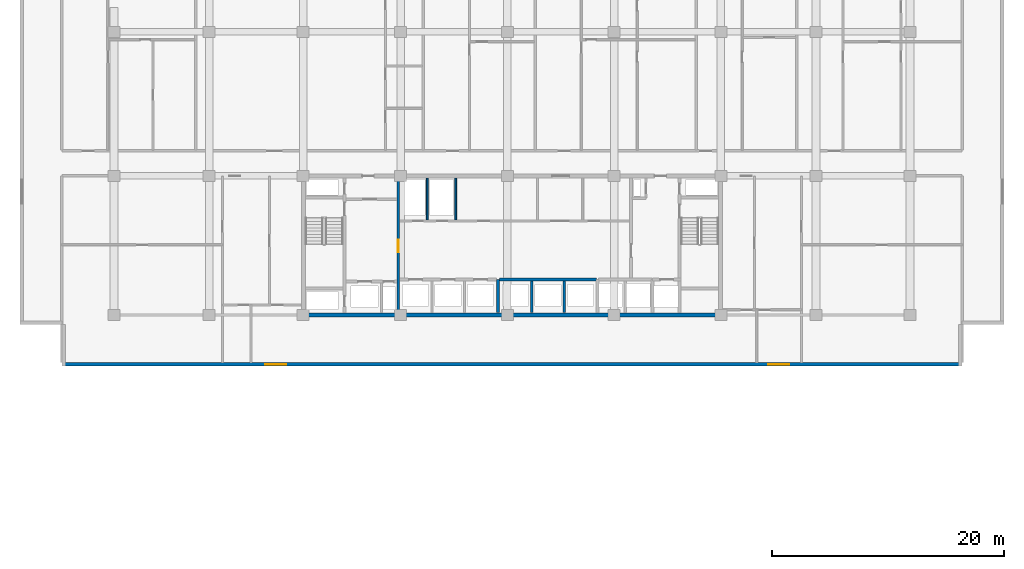
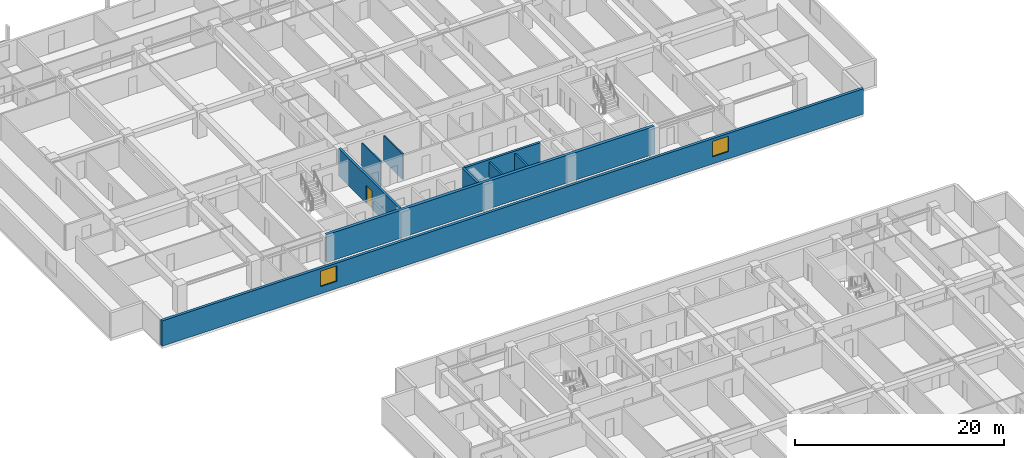
# One storey, part 12 of 24: 9 walls, 2 windows, 1 door, 3 openings.
"""IFC4 building model written with IfcOpenShell, lengths in metres."""

from ifc_helpers import new_model, si_unit, direction, frame, frame_2d, origin, place, context, subcontext, project, spatial, rectangle, extrude, material, layer, layer_set, type_object, element, fill, save


model = new_model("IFC4")

# Units and contexts
model_context = context("Model", 3, precision=1e-05, world=origin(), true_north=direction((0.0, 1.0)))
body_context = subcontext(model_context, "Body", "Model", "MODEL_VIEW")
ifc_project = project(units=[si_unit("LENGTHUNIT", "METRE"), si_unit("AREAUNIT", "SQUARE_METRE"), si_unit("VOLUMEUNIT", "CUBIC_METRE"), si_unit("PLANEANGLEUNIT", "RADIAN"), si_unit("MASSUNIT", "GRAM", prefix="KILO")], contexts=[model_context])

# Site, building, storey
site_placement = place(None, origin())
site = spatial("IfcSite", under=ifc_project, at=site_placement, CompositionType="ELEMENT")
building_placement = place(site_placement, origin())
building = spatial("IfcBuilding", under=site, at=building_placement, Name="Korimba Cascade Residences", CompositionType="ELEMENT")
storey_placement = place(building_placement, frame((0.0, 0.0, 66.25)))
storey = spatial("IfcBuildingStorey", under=building, at=storey_placement, Name="L18", CompositionType="ELEMENT", Elevation=66.25)

# Wall, openings, windows
ifc_material_1 = material(Name="Precast concrete C40/50", Category="concrete")
ifc_layer_1 = layer(ifc_material_1, 0.300048828125)
ifc_layer_set_1 = layer_set([ifc_layer_1], Name="Precast concrete C40/50")
wall_type_1 = type_object("IfcWallType", Name="EW-STONE-300", PredefinedType="STANDARD", material=ifc_layer_set_1)
wall_1_placement = place(storey_placement, frame((55.300048828125, 50.949951171875, 0.0), z_axis=(0.0, 0.0, 1.0), x_axis=(1.0, 0.0, 0.0)))
wall_1 = element("IfcWall", 1, at=wall_1_placement, inside=storey, type_object=wall_type_1, Name="L18 T1 Perimeter Stone Wall E00", PredefinedType="STANDARD", context=body_context, shape_type="SweptSolid", body=[
    extrude(rectangle(XDim=77.599853515625, YDim=0.300048828125, at=frame_2d((38.7998046875, 0.0))), origin(), (0.0, 0.0, 1.0), 2.969970703125),
])
opening_1_placement = place(wall_1_placement, frame((17.52490234375, 0.0, 0.85009765625)))
opening_1 = element("IfcOpeningElement", 2, at=opening_1_placement, cuts=wall_1, Name="Opening W-02", PredefinedType="OPENING", context=body_context, shape_type="SweptSolid", body=[
    extrude(rectangle(XDim=1.800048828125, YDim=1.800048828125, at=frame_2d((0.89990234375, 0.89990234375))), frame((0.0, 0.16015625, 0.0), z_axis=(0.0, -1.0, 0.0), x_axis=(1.0, 0.0, 0.0)), (0.0, 0.0, 1.0), 0.320068359375),
])
opening_2_placement = place(wall_1_placement, frame((60.875, 0.0, 0.85009765625)))
opening_2 = element("IfcOpeningElement", 3, at=opening_2_placement, cuts=wall_1, Name="Opening W-02", PredefinedType="OPENING", context=body_context, shape_type="SweptSolid", body=[
    extrude(rectangle(XDim=1.800048828125, YDim=1.800048828125, at=frame_2d((0.89990234375, 0.89990234375))), frame((0.0, 0.16015625, 0.0), z_axis=(0.0, -1.0, 0.0), x_axis=(1.0, 0.0, 0.0)), (0.0, 0.0, 1.0), 0.320068359375),
])
ifc_material_2 = material(Name="Double-Glazed Aluminium Window", Category="aluminium")
window_type = type_object("IfcWindowType", Name="WIN-BED-1800", PartitioningType="SINGLE_PANEL", PredefinedType="WINDOW", material=ifc_material_2)
window_1_placement = place(opening_1_placement, origin())
window_1 = element("IfcWindow", 4, at=window_1_placement, inside=storey, type_object=window_type, Name="L18 T1 South Corner Bedroom Window 1", OverallHeight=1.800048828125, OverallWidth=1.800048828125, PartitioningType="SINGLE_PANEL", PredefinedType="WINDOW", context=body_context, shape_type="SweptSolid", body=[
    extrude(rectangle(XDim=1.800048828125, YDim=1.800048828125, at=frame_2d((0.89990234375, 0.89990234375))), frame((0.0, 0.030029296875, 0.0), z_axis=(0.0, -1.0, 0.0), x_axis=(1.0, 0.0, 0.0)), (0.0, 0.0, 1.0), 0.06005859375),
])
fill(opening_1, window_1)
window_2_placement = place(opening_2_placement, origin())
window_2 = element("IfcWindow", 5, at=window_2_placement, inside=storey, type_object=window_type, Name="L18 T1 South Corner Bedroom Window 2", OverallHeight=1.800048828125, OverallWidth=1.800048828125, PartitioningType="SINGLE_PANEL", PredefinedType="WINDOW", context=body_context, shape_type="SweptSolid", body=[
    extrude(rectangle(XDim=1.800048828125, YDim=1.800048828125, at=frame_2d((0.89990234375, 0.89990234375))), frame((0.0, 0.030029296875, 0.0), z_axis=(0.0, -1.0, 0.0), x_axis=(1.0, 0.0, 0.0)), (0.0, 0.0, 1.0), 0.06005859375),
])
fill(opening_2, window_2)

# Walls
ifc_material_3 = material(Name="Concrete C65/80", Category="concrete")
ifc_layer_2 = layer(ifc_material_3, 0.35009765625)
ifc_layer_set_2 = layer_set([ifc_layer_2], Name="Concrete C65/80")
wall_type_2 = type_object("IfcWallType", Name="WAL-CORE-350", PredefinedType="SHEAR", material=ifc_layer_set_2)
wall_2_placement = place(storey_placement, frame((75.949951171875, 55.199951171875, 0.0), z_axis=(0.0, 0.0, 1.0), x_axis=(1.0, 0.0, 0.0)))
element("IfcWall", 6, at=wall_2_placement, inside=storey, type_object=wall_type_2, Name="L18 Core Shear Wall CW-L18-T1-S", PredefinedType="SHEAR", context=body_context, shape_type="SweptSolid", body=[
    extrude(rectangle(XDim=36.300048828125, YDim=0.35009765625, at=frame_2d((18.14990234375, 0.0))), origin(), (0.0, 0.0, 1.0), 3.25),
])
ifc_material_4 = material(Name="Insulated Acoustic Stud Partition", Category="gypsum")
ifc_layer_3 = layer(ifc_material_4, 0.14990234375)
ifc_layer_set_3 = layer_set([ifc_layer_3], Name="Insulated Acoustic Stud Partition")
wall_type_3 = type_object("IfcWallType", Name="WAL-PART-150", PredefinedType="PARTITIONING", material=ifc_layer_set_3)
for number, where, z_axis, x_axis, name in (
    (7, (86.800048828125, 63.39990234375, 0.0), (0.0, 0.0, 1.0), (0.0, 1.0, 0.0), "L18 Partition Wall CW-L18-T1-ERDIV"),
    (8, (89.25, 63.39990234375, 0.0), (0.0, 0.0, 1.0), (0.0, 1.0, 0.0), "L18 Partition Wall CW-L18-T1-PRDIV"),
):
    element("IfcWall", number, at=place(storey_placement, frame(where, z_axis=z_axis, x_axis=x_axis)), inside=storey, type_object=wall_type_3, Name=name, PredefinedType="PARTITIONING", context=body_context, shape_type="SweptSolid", body=[
        extrude(rectangle(XDim=3.60009765625, YDim=0.14990234375, at=frame_2d((1.800048828125, 0.0))), origin(), (0.0, 0.0, 1.0), 2.969970703125),
    ])
ifc_material_5 = material(Name="Concrete C40/50", Category="concrete")
ifc_layer_4 = layer(ifc_material_5, 0.199951171875)
ifc_layer_set_4 = layer_set([ifc_layer_4], Name="Concrete C40/50")
wall_type_4 = type_object("IfcWallType", Name="WAL-PART-200", PredefinedType="PARTITIONING", material=ifc_layer_set_4)
for number, where, z_axis, x_axis, name in (
    (9, (95.800048828125, 55.39990234375, 0.0), (0.0, 0.0, 1.0), (0.0, 1.0, 0.0), "L18 Partition Wall CW-L18-T1-B2D1"),
    (10, (98.60009765625, 55.39990234375, 0.0), (0.0, 0.0, 1.0), (0.0, 1.0, 0.0), "L18 Partition Wall CW-L18-T1-B2D2"),
):
    element("IfcWall", number, at=place(storey_placement, frame(where, z_axis=z_axis, x_axis=x_axis)), inside=storey, type_object=wall_type_4, Name=name, PredefinedType="PARTITIONING", context=body_context, shape_type="SweptSolid", body=[
        extrude(rectangle(XDim=2.72021484375, YDim=0.199951171875, at=frame_2d((1.360107421875, 0.0))), origin(), (0.0, 0.0, 1.0), 2.969970703125),
    ])

# Wall, opening, door
ifc_material_6 = material(Name="Concrete C50/60", Category="concrete")
ifc_layer_5 = layer(ifc_material_6, 0.25)
ifc_layer_set_5 = layer_set([ifc_layer_5], Name="Concrete C50/60")
wall_type_5 = type_object("IfcWallType", Name="WAL-SHAFT-250", PredefinedType="SHEAR", material=ifc_layer_set_5)
wall_3_placement = place(storey_placement, frame((84.300048828125, 55.39990234375, 0.0), z_axis=(0.0, 0.0, 1.0), x_axis=(0.0, 1.0, 0.0)))
wall_3 = element("IfcWall", 11, at=wall_3_placement, inside=storey, type_object=wall_type_5, Name="L18 Core Shear Wall CW-L18-T1-FFLE", PredefinedType="SHEAR", context=body_context, shape_type="SweptSolid", body=[
    extrude(rectangle(XDim=11.60009765625, YDim=0.25, at=frame_2d((5.800048828125, 0.0))), origin(), (0.0, 0.0, 1.0), 3.25),
])
opening_3_placement = place(wall_3_placement, frame((5.199951171875, 0.0, 0.0)))
opening_3 = element("IfcOpeningElement", 12, at=opening_3_placement, cuts=wall_3, Name="Opening D-FD1", PredefinedType="OPENING", context=body_context, shape_type="SweptSolid", body=[
    extrude(rectangle(XDim=1.10009765625, YDim=2.10009765625, at=frame_2d((0.550048828125, 1.050048828125))), frame((0.0, 0.135009765625, 0.0), z_axis=(0.0, -1.0, 0.0), x_axis=(1.0, 0.0, 0.0)), (0.0, 0.0, 1.0), 0.27001953125),
])
ifc_material_7 = material(Name="Fire-Rated Steel Core Door", Category="steel")
door_type = type_object("IfcDoorType", Name="DR-FD120-1100", OperationType="NOTDEFINED", PredefinedType="DOOR", material=ifc_material_7)
door_placement = place(opening_3_placement, origin())
door = element("IfcDoor", 13, at=door_placement, inside=storey, type_object=door_type, Name="L18 Firefighting Lobby to Lift Lobby Door", OperationType="SINGLE_SWING_LEFT", OverallHeight=2.10009765625, OverallWidth=1.10009765625, PredefinedType="DOOR", context=body_context, shape_type="SweptSolid", body=[
    extrude(rectangle(XDim=1.10009765625, YDim=2.10009765625, at=frame_2d((0.550048828125, 1.050048828125))), frame((0.0, 0.02490234375, 0.0), z_axis=(0.0, -1.0, 0.0), x_axis=(1.0, 0.0, 0.0)), (0.0, 0.0, 1.0), 0.050048828125),
])
fill(opening_3, door)

# Walls
wall_4_placement = place(storey_placement, frame((92.89990234375, 55.39990234375, 0.0), z_axis=(0.0, 0.0, 1.0), x_axis=(0.0, 1.0, 0.0)))
element("IfcWall", 14, at=wall_4_placement, inside=storey, type_object=wall_type_5, Name="L18 Core Shear Wall CW-L18-T1-B12DIV", PredefinedType="SHEAR", context=body_context, shape_type="SweptSolid", body=[
    extrude(rectangle(XDim=2.85009765625, YDim=0.25, at=frame_2d((1.425048828125, 0.0))), origin(), (0.0, 0.0, 1.0), 3.25),
])
wall_5_placement = place(storey_placement, frame((93.02001953125, 58.25, 0.0), z_axis=(0.0, 0.0, 1.0), x_axis=(1.0, 0.0, 0.0)))
element("IfcWall", 15, at=wall_5_placement, inside=storey, type_object=wall_type_5, Name="L18 Core Shear Wall CW-L18-T1-B2N", PredefinedType="SHEAR", context=body_context, shape_type="SweptSolid", body=[
    extrude(rectangle(XDim=8.35986328125, YDim=0.25, at=frame_2d((4.179931640625, 0.0))), origin(), (0.0, 0.0, 1.0), 3.25),
])

save(model, "model.ifc")
